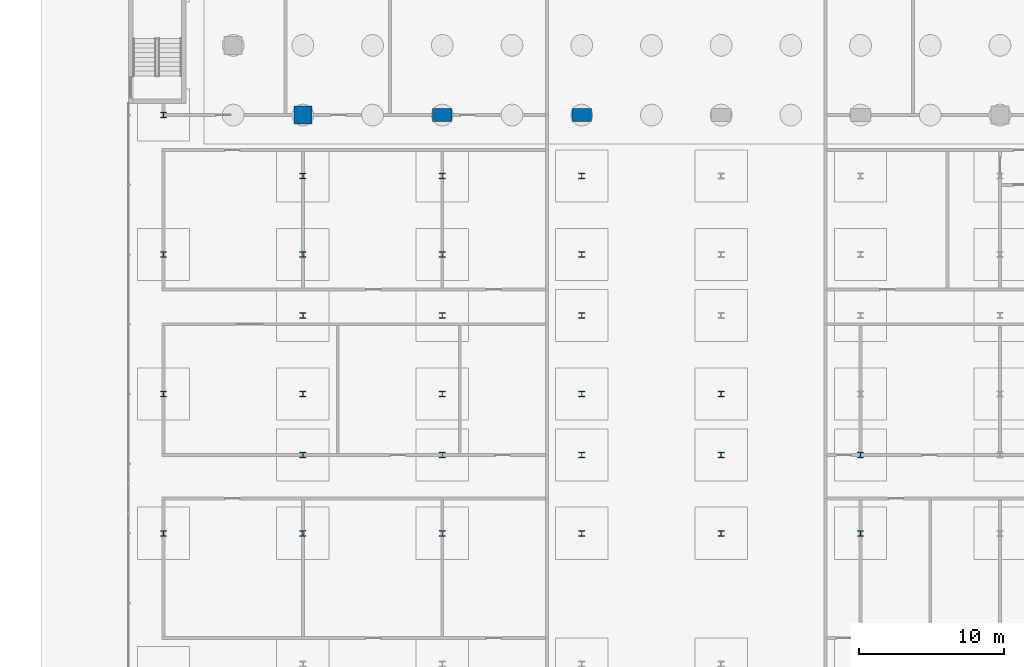
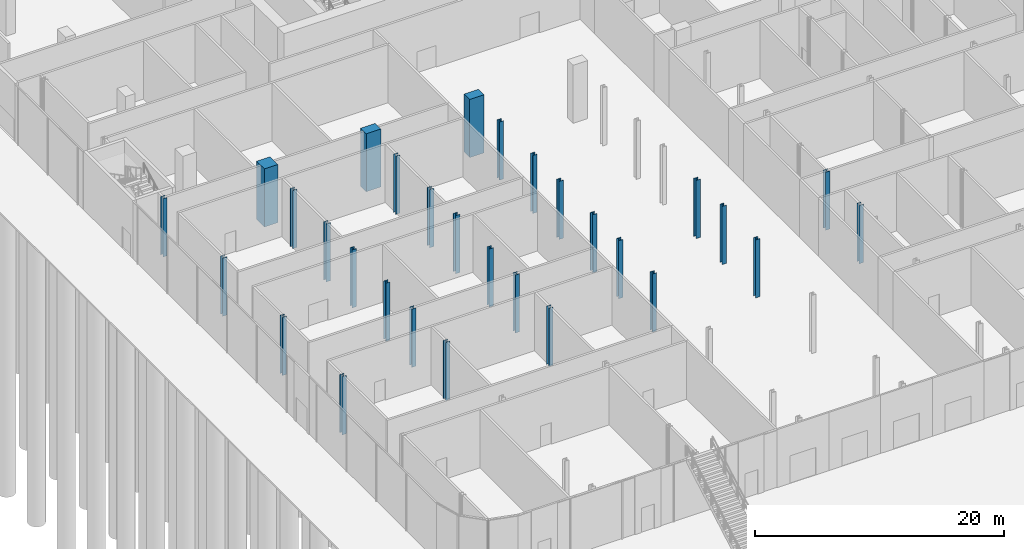
# One storey, part 4 of 44: 30 columns.
"""IFC4 building model written with IfcOpenShell, lengths in metres."""

import ifcopenshell
import ifcopenshell.guid

model = None  # the IFC model being written
_history = None  # IfcOwnerHistory: only IFC2X3 demands one
_inside = {}  # id of a spatial element -> (the spatial element, [elements in it])
_under = {}  # id of a project, library or spatial element -> (it, [spatial elements below it])
_declared = {}  # id of a project -> (the project, [libraries it declares])
_typed = {}  # id of a type object -> (the type object, [elements of that type])
_made_of = {}  # id of a material, layer set ... -> (it, [elements and type objects made of it])


def new_model(schema):
    """Start an empty IFC model of exactly this schema.

    Asked for "IFC4X3", IfcOpenShell would pick the latest addendum, in which some entities
    have other attributes; the version numbers below select the first issue.
    IFC2X3 requires an IfcOwnerHistory on every rooted entity: one is made here for all.
    """
    global model, _history
    if schema == "IFC4X3":
        model = ifcopenshell.file(schema_version=(4, 3, 0, 0))
    else:
        model = ifcopenshell.file(schema=schema)
    _inside.clear()
    _under.clear()
    _declared.clear()
    _typed.clear()
    _made_of.clear()
    _history = None
    if model.schema == "IFC2X3":
        org = make("IfcOrganization", Name="unknown")
        user = make(
            "IfcPersonAndOrganization",
            ThePerson=make("IfcPerson", FamilyName="unknown"),
            TheOrganization=org,
        )
        app = make(
            "IfcApplication",
            ApplicationDeveloper=org,
            Version="unknown",
            ApplicationFullName="unknown",
            ApplicationIdentifier="unknown",
        )
        _history = make(
            "IfcOwnerHistory",
            OwningUser=user,
            OwningApplication=app,
            ChangeAction="ADDED",
            CreationDate=0,
        )
    return model


def make(cls, **values):
    """One entity of the class cls with the attributes given. An attribute that is None is left unset."""
    return model.create_entity(
        cls, **{name: value for name, value in values.items() if value is not None}
    )


def rooted(cls, **values):
    """An entity with a GlobalId (a new one), such as an element, a storey or a relation."""
    return make(cls, GlobalId=ifcopenshell.guid.new(), OwnerHistory=_history, **values)


def si_unit(unit_type, name, prefix=None):
    """IfcSIUnit, for example si_unit("LENGTHUNIT", "METRE", prefix="MILLI")."""
    return make("IfcSIUnit", UnitType=unit_type, Prefix=prefix, Name=name)


def assignment(units):
    """IfcUnitAssignment: the units of a project."""
    return None if units is None else make("IfcUnitAssignment", Units=units)


def point(xyz):
    """IfcCartesianPoint."""
    return None if xyz is None else make("IfcCartesianPoint", Coordinates=xyz)


def direction(xyz):
    """IfcDirection."""
    return None if xyz is None else make("IfcDirection", DirectionRatios=xyz)


def frame(location, z_axis=None, x_axis=None):
    """IfcAxis2Placement3D, a coordinate frame: its origin and axes. An axis left out is left unset."""
    return make(
        "IfcAxis2Placement3D",
        Location=point(location),
        Axis=direction(z_axis),
        RefDirection=direction(x_axis),
    )


def frame_2d(location, x_axis=None):
    """IfcAxis2Placement2D, a coordinate frame in the plane: its origin and x axis."""
    return make(
        "IfcAxis2Placement2D", Location=point(location), RefDirection=direction(x_axis)
    )


def origin():
    """The frame at (0, 0, 0) with its axes left unset."""
    return frame((0.0, 0.0, 0.0))


def origin_2d():
    """The frame at (0, 0) in the plane with its x axis left unset."""
    return frame_2d((0.0, 0.0))


def place(relative_to, where):
    """IfcLocalPlacement: puts the frame where relative to a parent placement (None: the world)."""
    return make(
        "IfcLocalPlacement", PlacementRelTo=relative_to, RelativePlacement=where
    )


def context(
    kind, dimensions, precision=None, world=None, true_north=None, identifier=None
):
    """IfcGeometricRepresentationContext, for example the 3D "Model" context."""
    return make(
        "IfcGeometricRepresentationContext",
        ContextIdentifier=identifier,
        ContextType=kind,
        CoordinateSpaceDimension=dimensions,
        Precision=precision,
        WorldCoordinateSystem=world,
        TrueNorth=true_north,
    )


def subcontext(parent, identifier, kind, view, scale=None):
    """IfcGeometricRepresentationSubContext, for example "Body" below "Model"."""
    return make(
        "IfcGeometricRepresentationSubContext",
        ContextIdentifier=identifier,
        ContextType=kind,
        ParentContext=parent,
        TargetScale=scale,
        TargetView=view,
    )


def project(units=None, contexts=None):
    """IfcProject with its units and contexts."""
    return rooted(
        "IfcProject",
        Name="project",
        RepresentationContexts=contexts,
        UnitsInContext=assignment(units),
    )


def spatial(cls, under=None, at=None, **own):
    """A site, building, storey or space (cls), placed at a placement, below another one or the project."""
    s = rooted(cls, ObjectPlacement=at, **own)
    if under is not None:
        _under.setdefault(under.id(), (under, []))[1].append(s)
    return s


def profile(cls, at=None, kind="AREA", **sizes):
    """A parametric profile (cls). Its sizes go by their IFC names, for example OverallWidth=200.0."""
    return make(cls, ProfileType=kind, Position=at, **sizes)


def rectangle(**sizes):
    """IfcRectangleProfileDef."""
    return profile("IfcRectangleProfileDef", **sizes)


def i_section(**sizes):
    """IfcIShapeProfileDef."""
    return profile("IfcIShapeProfileDef", **sizes)


def extrude(swept, where, along, depth):
    """IfcExtrudedAreaSolid: the profile swept, set in the frame where, extruded along a direction by depth."""
    return make(
        "IfcExtrudedAreaSolid",
        SweptArea=swept,
        Position=where,
        ExtrudedDirection=direction(along),
        Depth=depth,
    )


def shape(context_of_items, identifier, shape_type, items):
    """IfcShapeRepresentation: the items that make up one representation, for example the "Body"."""
    return make(
        "IfcShapeRepresentation",
        ContextOfItems=context_of_items,
        RepresentationIdentifier=identifier,
        RepresentationType=shape_type,
        Items=items,
    )


def material(Name=None, Category=None):
    """IfcMaterial."""
    return make("IfcMaterial", Name=Name, Category=Category)


def material_profile(
    of_material, cross_section, Name=None, Category=None, Priority=None
):
    """IfcMaterialProfile: a cross section and its material."""
    return make(
        "IfcMaterialProfile",
        Name=Name,
        Material=of_material,
        Profile=cross_section,
        Priority=Priority,
        Category=Category,
    )


def profile_set(profiles, Name=None, composite=None):
    """IfcMaterialProfileSet."""
    return make(
        "IfcMaterialProfileSet",
        Name=Name,
        MaterialProfiles=profiles,
        CompositeProfile=composite,
    )


def made_of(thing, what):
    """Note that an element or type object is made of a material, layer set ...; save() writes the relation."""
    if what is not None:
        _made_of.setdefault(what.id(), (what, []))[1].append(thing)
    return thing


def type_object(cls, material=None, **own):
    """A type object (cls), such as IfcWallType, which elements share."""
    return made_of(rooted(cls, **own), material)


def element(
    cls,
    number,
    at=None,
    inside=None,
    cuts=None,
    type_object=None,
    material=None,
    context=None,
    identifier="Body",
    shape_type=None,
    held_by="IfcProductDefinitionShape",
    body=None,
    shapes=None,
    **own,
):
    """One element of the class cls, such as IfcWall. Its Tag is "e" and its number.

    at: its placement. inside: the storey or other place that contains it. cuts: it is an
    opening in that element (IfcRelVoidsElement). A single representation is given by context,
    identifier, shape_type and body (its items); several are given by shapes. held_by: the class
    of the entity that holds the representations. save() writes the other relations.
    """
    e = rooted(cls, Tag="e%d" % number, ObjectPlacement=at, **own)
    if body is not None:
        shapes = [shape(context, identifier, shape_type, body)]
    if shapes is not None:
        e.Representation = make(held_by, Representations=shapes)
    if inside is not None:
        _inside.setdefault(inside.id(), (inside, []))[1].append(e)
    if cuts is not None:
        rooted(
            "IfcRelVoidsElement", RelatingBuildingElement=cuts, RelatedOpeningElement=e
        )
    if type_object is not None:
        _typed.setdefault(type_object.id(), (type_object, []))[1].append(e)
    return made_of(e, material)


def aggregate(whole, parts):
    """IfcRelAggregates: a whole, such as a stair, and the parts it consists of."""
    return rooted("IfcRelAggregates", RelatingObject=whole, RelatedObjects=parts)


def save(model, path):
    """Write the relations noted so far, then the file.

    IfcRelAggregates (storeys below a building ...), IfcRelContainedInSpatialStructure (elements
    in a storey), IfcRelDefinesByType, IfcRelAssociatesMaterial and IfcRelDeclares: one each for
    every whole, place, type object, material and project.
    """
    for whole, parts in _under.values():
        aggregate(whole, parts)
    for where, things in _inside.values():
        rooted(
            "IfcRelContainedInSpatialStructure",
            RelatedElements=things,
            RelatingStructure=where,
        )
    for kind, things in _typed.values():
        rooted("IfcRelDefinesByType", RelatedObjects=things, RelatingType=kind)
    for what, things in _made_of.values():
        rooted("IfcRelAssociatesMaterial", RelatedObjects=things, RelatingMaterial=what)
    for by, libraries in _declared.values():
        rooted("IfcRelDeclares", RelatingContext=by, RelatedDefinitions=libraries)
    model.write(path)


model = new_model("IFC4")

# Units and contexts
model_context = context("Model", 3, precision=1e-05, world=origin(), true_north=direction((0.0, 1.0)))
body_context = subcontext(model_context, "Body", "Model", "MODEL_VIEW")
ifc_project = project(units=[si_unit("LENGTHUNIT", "METRE"), si_unit("AREAUNIT", "SQUARE_METRE"), si_unit("VOLUMEUNIT", "CUBIC_METRE"), si_unit("PLANEANGLEUNIT", "RADIAN"), si_unit("MASSUNIT", "GRAM", prefix="KILO")], contexts=[model_context])

# Site, building, storey
site_placement = place(None, origin())
site = spatial("IfcSite", under=ifc_project, at=site_placement, CompositionType="ELEMENT")
building_placement = place(site_placement, origin())
building = spatial("IfcBuilding", under=site, at=building_placement, Name="Madar Terraces", CompositionType="ELEMENT")
storey_placement = place(building_placement, origin())
storey = spatial("IfcBuildingStorey", under=building, at=storey_placement, Name="L00", CompositionType="ELEMENT", Elevation=0.0)

# Columns
ifc_material_1 = material(Name="Concrete C80/95", Category="concrete")
ifc_material_profile_1 = material_profile(ifc_material_1, rectangle(XDim=1.35009765625, YDim=0.89990234375, at=origin_2d()), Name="CC1 RC 1350x900")
ifc_profile_set_1 = profile_set([ifc_material_profile_1], Name="Concrete C80/95")
column_type_1 = type_object("IfcColumnType", Name="CC1 RC 1350x900", PredefinedType="COLUMN", material=ifc_profile_set_1)
for number, where, z_axis, x_axis, name in (
    (1, (14.39990234375, 0.0, 0.0), (0.0, 0.0, 1.0), (1.0, 0.0, 0.0), "Perimeter column S2"),
    (2, (24.0, 0.0, 0.0), (0.0, 0.0, 1.0), (1.0, 0.0, 0.0), "Perimeter column S3"),
):
    element("IfcColumn", number, at=place(storey_placement, frame(where, z_axis=z_axis, x_axis=x_axis)), inside=storey, type_object=column_type_1, Name=name, PredefinedType="COLUMN", context=body_context, shape_type="SweptSolid", body=[
        extrude(rectangle(XDim=1.35009765625, YDim=0.89990234375, at=origin_2d()), origin(), (0.0, 0.0, 1.0), 5.699951171875),
    ])
ifc_material_2 = material(Name="Concrete C80/95", Category="concrete")
ifc_material_profile_2 = material_profile(ifc_material_2, rectangle(XDim=1.25, YDim=1.25, at=origin_2d()), Name="KC1 RC 1250x1250")
ifc_profile_set_2 = profile_set([ifc_material_profile_2], Name="Concrete C80/95")
column_type_2 = type_object("IfcColumnType", Name="KC1 RC 1250x1250", PredefinedType="COLUMN", material=ifc_profile_set_2)
column_placement = place(storey_placement, frame((4.800048828125, 0.0, 0.0), z_axis=(0.0, 0.0, 1.0), x_axis=(1.0, 0.0, 0.0)))
element("IfcColumn", 3, at=column_placement, inside=storey, type_object=column_type_2, Name="Perimeter column S1", PredefinedType="COLUMN", context=body_context, shape_type="SweptSolid", body=[
    extrude(rectangle(XDim=1.25, YDim=1.25, at=origin_2d()), origin(), (0.0, 0.0, 1.0), 5.699951171875),
])
ifc_material_3 = material(Name="Steel ASTM A992 Grade 50", Category="steel")
ifc_material_profile_3 = material_profile(ifc_material_3, i_section(OverallWidth=0.396240234375, OverallDepth=0.381103515625, WebThickness=0.01904296875, FlangeThickness=0.0302734375, at=origin_2d()), Name="W14x159")
ifc_profile_set_3 = profile_set([ifc_material_profile_3], Name="Steel ASTM A992 Grade 50")
column_type_3 = type_object("IfcColumnType", Name="PC2 W14x159", PredefinedType="COLUMN", material=ifc_profile_set_3)
for number, where, z_axis, x_axis, name in (
    (4, (-4.800048828125, -28.800048828125, 0.0), (0.0, 0.0, 1.0), (1.0, 0.0, 0.0), "Podium column PC2"),
    (5, (-4.800048828125, -19.199951171875, 0.0), (0.0, 0.0, 1.0), (1.0, 0.0, 0.0), "Podium column PC2"),
    (6, (-4.800048828125, -9.60009765625, 0.0), (0.0, 0.0, 1.0), (1.0, 0.0, 0.0), "Podium column PC2"),
    (7, (-4.800048828125, 0.0, 0.0), (0.0, 0.0, 1.0), (1.0, 0.0, 0.0), "Podium column PC2"),
    (8, (4.800048828125, -28.800048828125, 0.0), (0.0, 0.0, 1.0), (1.0, 0.0, 0.0), "Podium column PC2"),
    (9, (4.800048828125, -23.39990234375, 0.0), (0.0, 0.0, 1.0), (1.0, 0.0, 0.0), "Podium column PC2"),
    (10, (4.800048828125, -19.199951171875, 0.0), (0.0, 0.0, 1.0), (1.0, 0.0, 0.0), "Podium column PC2"),
    (11, (4.800048828125, -13.800048828125, 0.0), (0.0, 0.0, 1.0), (1.0, 0.0, 0.0), "Podium column PC2"),
    (12, (4.800048828125, -9.60009765625, 0.0), (0.0, 0.0, 1.0), (1.0, 0.0, 0.0), "Podium column PC2"),
    (13, (4.800048828125, -4.199951171875, 0.0), (0.0, 0.0, 1.0), (1.0, 0.0, 0.0), "Podium column PC2"),
    (14, (14.39990234375, -28.800048828125, 0.0), (0.0, 0.0, 1.0), (1.0, 0.0, 0.0), "Podium column PC2"),
    (15, (14.39990234375, -23.39990234375, 0.0), (0.0, 0.0, 1.0), (1.0, 0.0, 0.0), "Podium column PC2"),
    (16, (14.39990234375, -19.199951171875, 0.0), (0.0, 0.0, 1.0), (1.0, 0.0, 0.0), "Podium column PC2"),
    (17, (14.39990234375, -13.800048828125, 0.0), (0.0, 0.0, 1.0), (1.0, 0.0, 0.0), "Podium column PC2"),
    (18, (14.39990234375, -9.60009765625, 0.0), (0.0, 0.0, 1.0), (1.0, 0.0, 0.0), "Podium column PC2"),
    (19, (14.39990234375, -4.199951171875, 0.0), (0.0, 0.0, 1.0), (1.0, 0.0, 0.0), "Podium column PC2"),
    (20, (24.0, -28.800048828125, 0.0), (0.0, 0.0, 1.0), (1.0, 0.0, 0.0), "Podium column PC2"),
    (21, (24.0, -23.39990234375, 0.0), (0.0, 0.0, 1.0), (1.0, 0.0, 0.0), "Podium column PC2"),
    (22, (24.0, -19.199951171875, 0.0), (0.0, 0.0, 1.0), (1.0, 0.0, 0.0), "Podium column PC2"),
    (23, (24.0, -13.800048828125, 0.0), (0.0, 0.0, 1.0), (1.0, 0.0, 0.0), "Podium column PC2"),
    (24, (24.0, -9.60009765625, 0.0), (0.0, 0.0, 1.0), (1.0, 0.0, 0.0), "Podium column PC2"),
    (25, (24.0, -4.199951171875, 0.0), (0.0, 0.0, 1.0), (1.0, 0.0, 0.0), "Podium column PC2"),
    (26, (33.60009765625, -28.800048828125, 0.0), (0.0, 0.0, 1.0), (1.0, 0.0, 0.0), "Podium column PC2"),
    (27, (33.60009765625, -23.39990234375, 0.0), (0.0, 0.0, 1.0), (1.0, 0.0, 0.0), "Podium column PC2"),
    (28, (33.60009765625, -19.199951171875, 0.0), (0.0, 0.0, 1.0), (1.0, 0.0, 0.0), "Podium column PC2"),
    (29, (43.199951171875, -28.800048828125, 0.0), (0.0, 0.0, 1.0), (1.0, 0.0, 0.0), "Podium column PC2"),
    (30, (43.199951171875, -23.39990234375, 0.0), (0.0, 0.0, 1.0), (1.0, 0.0, 0.0), "Podium column PC2"),
):
    element("IfcColumn", number, at=place(storey_placement, frame(where, z_axis=z_axis, x_axis=x_axis)), inside=storey, type_object=column_type_3, Name=name, PredefinedType="COLUMN", context=body_context, shape_type="SweptSolid", body=[
        extrude(i_section(OverallWidth=0.396240234375, OverallDepth=0.381103515625, WebThickness=0.01904296875, FlangeThickness=0.0302734375, at=origin_2d()), origin(), (0.0, 0.0, 1.0), 5.699951171875),
    ])

save(model, "model.ifc")
